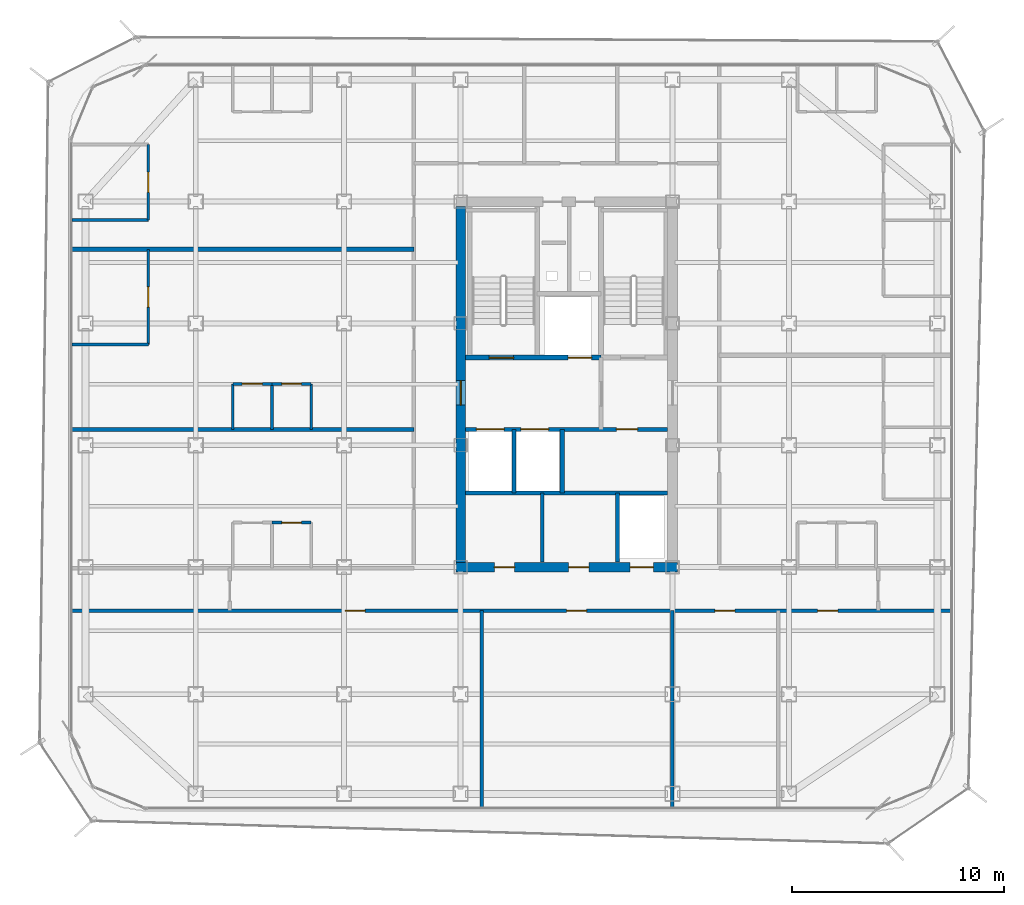
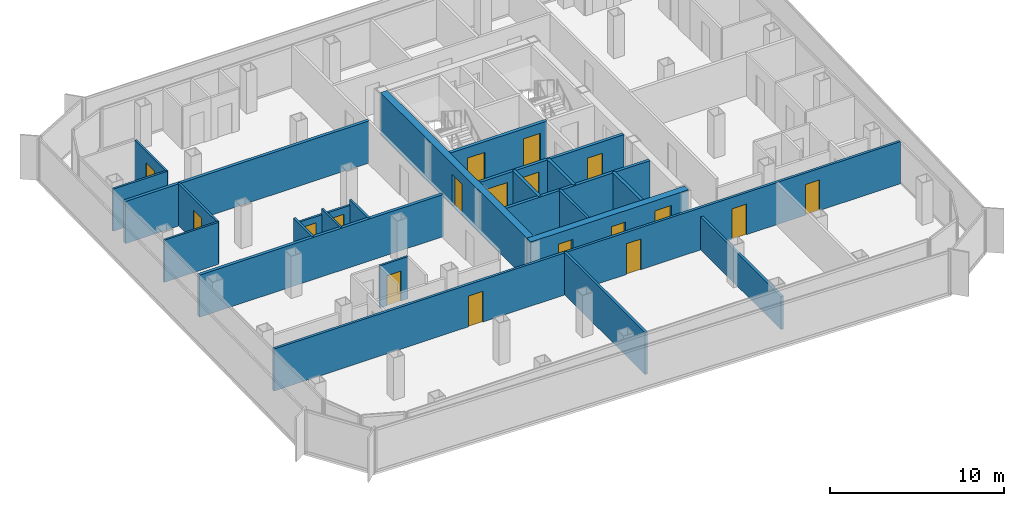
# One storey, part 10 of 15: 24 walls, 18 doors, 18 openings.
"""IFC4 building model written with IfcOpenShell, lengths in metres."""

from ifc_helpers import new_model, si_unit, direction, frame, frame_2d, origin, place, context, subcontext, project, spatial, rectangle, extrude, material, layer, layer_set, type_object, element, fill, save


model = new_model("IFC4")

# Units and contexts
model_context = context("Model", 3, precision=1e-05, world=origin(), true_north=direction((0.0, 1.0)))
body_context = subcontext(model_context, "Body", "Model", "MODEL_VIEW")
ifc_project = project(units=[si_unit("LENGTHUNIT", "METRE"), si_unit("AREAUNIT", "SQUARE_METRE"), si_unit("VOLUMEUNIT", "CUBIC_METRE"), si_unit("PLANEANGLEUNIT", "RADIAN"), si_unit("MASSUNIT", "GRAM", prefix="KILO")], contexts=[model_context])

# Site, building, storey
site_placement = place(None, origin())
site = spatial("IfcSite", under=ifc_project, at=site_placement, CompositionType="ELEMENT")
building_placement = place(site_placement, origin())
building = spatial("IfcBuilding", under=site, at=building_placement, Name="Kolveth Station Tower", CompositionType="ELEMENT")
storey_placement = place(building_placement, frame((0.0, 0.0, 168.89990234375)))
storey = spatial("IfcBuildingStorey", under=building, at=storey_placement, Name="L47", CompositionType="ELEMENT", Elevation=168.89990234375)

# Wall, openings, doors
ifc_material_1 = material(Name="Concrete C50/60", Category="concrete")
ifc_layer_1 = layer(ifc_material_1, 0.449951171875)
ifc_layer_set_1 = layer_set([ifc_layer_1], Name="Concrete C50/60")
wall_type_1 = type_object("IfcWallType", Name="Wall_CW-450", PredefinedType="SHEAR", material=ifc_layer_set_1)
wall_1_placement = place(storey_placement, frame((18.27490234375, 11.5, 0.0), z_axis=(0.0, 0.0, 1.0), x_axis=(1.0, 0.0, 0.0)))
wall_1 = element("IfcWall", 1, at=wall_1_placement, inside=storey, type_object=wall_type_1, Name="L47 Core RC Shear Wall S", PredefinedType="SHEAR", context=body_context, shape_type="SweptSolid", body=[
    extrude(rectangle(XDim=10.4501953125, YDim=0.449951171875, at=frame_2d((5.22509765625, 0.0))), origin(), (0.0, 0.0, 1.0), 2.9501953125),
])
opening_1_placement = place(wall_1_placement, frame((1.824951171875, 0.0, 0.0)))
opening_1 = element("IfcOpeningElement", 2, at=opening_1_placement, cuts=wall_1, Name="Opening ID1", PredefinedType="OPENING", context=body_context, shape_type="SweptSolid", body=[
    extrude(rectangle(XDim=0.949951171875, YDim=2.14990234375, at=frame_2d((0.47509765625, 1.074951171875))), frame((0.0, 0.23486328125, 0.0), z_axis=(0.0, -1.0, 0.0), x_axis=(1.0, 0.0, 0.0)), (0.0, 0.0, 1.0), 0.469970703125),
])
opening_2_placement = place(wall_1_placement, frame((5.324951171875, 0.0, 0.0)))
opening_2 = element("IfcOpeningElement", 3, at=opening_2_placement, cuts=wall_1, Name="Opening ID1", PredefinedType="OPENING", context=body_context, shape_type="SweptSolid", body=[
    extrude(rectangle(XDim=0.949951171875, YDim=2.14990234375, at=frame_2d((0.47509765625, 1.074951171875))), frame((0.0, 0.23486328125, 0.0), z_axis=(0.0, -1.0, 0.0), x_axis=(1.0, 0.0, 0.0)), (0.0, 0.0, 1.0), 0.469970703125),
])
opening_3_placement = place(wall_1_placement, frame((8.22509765625, 0.0, 0.0)))
opening_3 = element("IfcOpeningElement", 4, at=opening_3_placement, cuts=wall_1, Name="Opening LD1", PredefinedType="OPENING", context=body_context, shape_type="SweptSolid", body=[
    extrude(rectangle(XDim=1.10009765625, YDim=2.25, at=frame_2d((0.550048828125, 1.125))), frame((0.0, 0.23486328125, 0.0), z_axis=(0.0, -1.0, 0.0), x_axis=(1.0, 0.0, 0.0)), (0.0, 0.0, 1.0), 0.469970703125),
])
ifc_material_2 = material(Name="Acoustic hardwood leaf and aluminium frame", Category="wood")
door_type_1 = type_object("IfcDoorType", Name="Door_ID1", OperationType="NOTDEFINED", PredefinedType="DOOR", material=ifc_material_2)
door_1_placement = place(opening_1_placement, frame((0.949951171875, 0.0, 0.0), z_axis=(0.0, 0.0, 1.0), x_axis=(-1.0, 0.0, 0.0)))
door_1 = element("IfcDoor", 5, at=door_1_placement, inside=storey, type_object=door_type_1, Name="L47 Laundry Room Door", OperationType="SINGLE_SWING_LEFT", OverallHeight=2.14990234375, OverallWidth=0.949951171875, PredefinedType="DOOR", context=body_context, shape_type="SweptSolid", body=[
    extrude(rectangle(XDim=0.949951171875, YDim=2.14990234375, at=frame_2d((0.47509765625, 1.074951171875))), frame((0.0, 0.02490234375, 0.0), z_axis=(0.0, -1.0, 0.0), x_axis=(1.0, 0.0, 0.0)), (0.0, 0.0, 1.0), 0.050048828125),
])
fill(opening_1, door_1)
door_2_placement = place(opening_2_placement, frame((0.949951171875, 0.0, 0.0), z_axis=(0.0, 0.0, 1.0), x_axis=(-1.0, 0.0, 0.0)))
door_2 = element("IfcDoor", 6, at=door_2_placement, inside=storey, type_object=door_type_1, Name="L47 Parcel Room Door", OperationType="SINGLE_SWING_RIGHT", OverallHeight=2.14990234375, OverallWidth=0.949951171875, PredefinedType="DOOR", context=body_context, shape_type="SweptSolid", body=[
    extrude(rectangle(XDim=0.949951171875, YDim=2.14990234375, at=frame_2d((0.47509765625, 1.074951171875))), frame((0.0, 0.02490234375, 0.0), z_axis=(0.0, -1.0, 0.0), x_axis=(1.0, 0.0, 0.0)), (0.0, 0.0, 1.0), 0.050048828125),
])
fill(opening_2, door_2)
ifc_material_3 = material(Name="Brushed stainless steel sliding landing doors", Category="steel")
door_type_2 = type_object("IfcDoorType", Name="Door_LD1", OperationType="NOTDEFINED", PredefinedType="DOOR", material=ifc_material_3)
door_3_placement = place(opening_3_placement, frame((1.10009765625, 0.0, 0.0), z_axis=(0.0, 0.0, 1.0), x_axis=(-1.0, 0.0, 0.0)))
door_3 = element("IfcDoor", 7, at=door_3_placement, inside=storey, type_object=door_type_2, Name="L47 Lift PH1 Landing Door", OperationType="DOUBLE_DOOR_SLIDING", OverallHeight=2.25, OverallWidth=1.10009765625, PredefinedType="DOOR", context=body_context, shape_type="SweptSolid", body=[
    extrude(rectangle(XDim=1.10009765625, YDim=2.25, at=frame_2d((0.550048828125, 1.125))), frame((0.0, 0.02490234375, 0.0), z_axis=(0.0, -1.0, 0.0), x_axis=(1.0, 0.0, 0.0)), (0.0, 0.0, 1.0), 0.050048828125),
])
fill(opening_3, door_3)

# Wall, opening, door
wall_2_placement = place(storey_placement, frame((18.5, 11.72509765625, 0.0), z_axis=(0.0, 0.0, 1.0), x_axis=(0.0, 1.0, 0.0)))
wall_2 = element("IfcWall", 8, at=wall_2_placement, inside=storey, type_object=wall_type_1, Name="L47 Core RC Shear Wall W", PredefinedType="SHEAR", context=body_context, shape_type="SweptSolid", body=[
    extrude(rectangle(XDim=16.7998046875, YDim=0.449951171875, at=frame_2d((8.39990234375, 0.0))), origin(), (0.0, 0.0, 1.0), 2.9501953125),
])
opening_4_placement = place(wall_2_placement, frame((7.425048828125, 0.0, 0.0)))
opening_4 = element("IfcOpeningElement", 9, at=opening_4_placement, cuts=wall_2, Name="Opening FD1", PredefinedType="OPENING", context=body_context, shape_type="SweptSolid", body=[
    extrude(rectangle(XDim=1.14990234375, YDim=2.199951171875, at=frame_2d((0.574951171875, 1.10009765625))), frame((0.0, 0.23486328125, 0.0), z_axis=(0.0, -1.0, 0.0), x_axis=(1.0, 0.0, 0.0)), (0.0, 0.0, 1.0), 0.469970703125),
])
ifc_material_4 = material(Name="Fire-rated Steel S355 leaf and frame", Category="steel")
door_type_3 = type_object("IfcDoorType", Name="Door_FD1", OperationType="NOTDEFINED", PredefinedType="DOOR", material=ifc_material_4)
door_4_placement = place(opening_4_placement, frame((1.14990234375, 0.0, 0.0), z_axis=(0.0, 0.0, 1.0), x_axis=(-1.0, 0.0, 0.0)))
door_4 = element("IfcDoor", 10, at=door_4_placement, inside=storey, type_object=door_type_3, Name="L47 West Corridor to Firefighting Lobby Door", OperationType="SINGLE_SWING_LEFT", OverallHeight=2.199951171875, OverallWidth=1.14990234375, PredefinedType="DOOR", context=body_context, shape_type="SweptSolid", body=[
    extrude(rectangle(XDim=1.14990234375, YDim=2.199951171875, at=frame_2d((0.574951171875, 1.10009765625))), frame((0.0, 0.02490234375, 0.0), z_axis=(0.0, -1.0, 0.0), x_axis=(1.0, 0.0, 0.0)), (0.0, 0.0, 1.0), 0.050048828125),
])
fill(opening_4, door_4)

ifc_material_5 = material(Name="Moisture-resistant gypsum partition")
ifc_layer_2 = layer(ifc_material_5, 0.135009765625)
ifc_layer_set_2 = layer_set([ifc_layer_2], Name="Moisture-resistant gypsum partition")
wall_type_2 = type_object("IfcWallType", Name="Wall_IW-135", PredefinedType="PARTITIONING", material=ifc_layer_set_2)
wall_3_placement = place(storey_placement, frame((9.60009765625, 13.60009765625, 0.0), z_axis=(0.0, 0.0, 1.0), x_axis=(1.0, 0.0, 0.0)))
wall_3 = element("IfcWall", 11, at=wall_3_placement, inside=storey, type_object=wall_type_2, Name="L47 Partition Wall WL-L47-W1-IBHB", PredefinedType="PARTITIONING", context=body_context, shape_type="SweptSolid", body=[
    extrude(rectangle(XDim=1.849853515625, YDim=0.135009765625, at=frame_2d((0.9248046875, 0.0))), origin(), (0.0, 0.0, 1.0), 2.9501953125),
])
opening_5_placement = place(wall_3_placement, frame((0.465087890625, 0.0, 0.0)))
opening_5 = element("IfcOpeningElement", 12, at=opening_5_placement, cuts=wall_3, Name="Opening ID2", PredefinedType="OPENING", context=body_context, shape_type="SweptSolid", body=[
    extrude(rectangle(XDim=0.919921875, YDim=2.10009765625, at=frame_2d((0.4599609375, 1.050048828125))), frame((0.0, 0.077392578125, 0.0), z_axis=(0.0, -1.0, 0.0), x_axis=(1.0, 0.0, 0.0)), (0.0, 0.0, 1.0), 0.155029296875),
])
ifc_material_6 = material(Name="Moisture-resistant hardwood leaf", Category="wood")
door_type_4 = type_object("IfcDoorType", Name="Door_ID2", OperationType="NOTDEFINED", PredefinedType="DOOR", material=ifc_material_6)
door_5_placement = place(opening_5_placement, origin())
door_5 = element("IfcDoor", 13, at=door_5_placement, inside=storey, type_object=door_type_4, Name="Penthouse Flat L47-W1 Bathroom Door", OperationType="SINGLE_SWING_RIGHT", OverallHeight=2.10009765625, OverallWidth=0.919921875, PredefinedType="DOOR", context=body_context, shape_type="SweptSolid", body=[
    extrude(rectangle(XDim=0.919921875, YDim=2.10009765625, at=frame_2d((0.4599609375, 1.050048828125))), frame((0.0, 0.02490234375, 0.0), z_axis=(0.0, -1.0, 0.0), x_axis=(1.0, 0.0, 0.0)), (0.0, 0.0, 1.0), 0.050048828125),
])
fill(opening_5, door_5)

wall_4_placement = place(storey_placement, frame((7.75, 20.14990234375, 0.0), z_axis=(0.0, 0.0, 1.0), x_axis=(1.0, 0.0, 0.0)))
wall_4 = element("IfcWall", 14, at=wall_4_placement, inside=storey, type_object=wall_type_2, Name="L47 Partition Wall WL-L47-W2-IBHK", PredefinedType="PARTITIONING", context=body_context, shape_type="SweptSolid", body=[
    extrude(rectangle(XDim=1.85009765625, YDim=0.135009765625, at=frame_2d((0.925048828125, 0.0))), origin(), (0.0, 0.0, 1.0), 2.5830078125),
])
opening_6_placement = place(wall_4_placement, frame((0.445068359375, 0.0, 0.0)))
opening_6 = element("IfcOpeningElement", 15, at=opening_6_placement, cuts=wall_4, Name="Opening ID1", PredefinedType="OPENING", context=body_context, shape_type="SweptSolid", body=[
    extrude(rectangle(XDim=0.949951171875, YDim=2.14990234375, at=frame_2d((0.47509765625, 1.074951171875))), frame((0.0, 0.077392578125, 0.0), z_axis=(0.0, -1.0, 0.0), x_axis=(1.0, 0.0, 0.0)), (0.0, 0.0, 1.0), 0.155029296875),
])
door_6_placement = place(opening_6_placement, origin())
door_6 = element("IfcDoor", 16, at=door_6_placement, inside=storey, type_object=door_type_1, Name="Penthouse Flat L47-W2 Kitchen Door", OperationType="SINGLE_SWING_RIGHT", OverallHeight=2.14990234375, OverallWidth=0.949951171875, PredefinedType="DOOR", context=body_context, shape_type="SweptSolid", body=[
    extrude(rectangle(XDim=0.949951171875, YDim=2.14990234375, at=frame_2d((0.47509765625, 1.074951171875))), frame((0.0, 0.02490234375, 0.0), z_axis=(0.0, -1.0, 0.0), x_axis=(1.0, 0.0, 0.0)), (0.0, 0.0, 1.0), 0.050048828125),
])
fill(opening_6, door_6)

wall_5_placement = place(storey_placement, frame((9.60009765625, 20.14990234375, 0.0), z_axis=(0.0, 0.0, 1.0), x_axis=(1.0, 0.0, 0.0)))
wall_5 = element("IfcWall", 17, at=wall_5_placement, inside=storey, type_object=wall_type_2, Name="L47 Partition Wall WL-L47-W2-IBHB", PredefinedType="PARTITIONING", context=body_context, shape_type="SweptSolid", body=[
    extrude(rectangle(XDim=1.849853515625, YDim=0.135009765625, at=frame_2d((0.9248046875, 0.0))), origin(), (0.0, 0.0, 1.0), 2.5830078125),
])
opening_7_placement = place(wall_5_placement, frame((0.465087890625, 0.0, 0.0)))
opening_7 = element("IfcOpeningElement", 18, at=opening_7_placement, cuts=wall_5, Name="Opening ID2", PredefinedType="OPENING", context=body_context, shape_type="SweptSolid", body=[
    extrude(rectangle(XDim=0.919921875, YDim=2.10009765625, at=frame_2d((0.4599609375, 1.050048828125))), frame((0.0, 0.077392578125, 0.0), z_axis=(0.0, -1.0, 0.0), x_axis=(1.0, 0.0, 0.0)), (0.0, 0.0, 1.0), 0.155029296875),
])
door_7_placement = place(opening_7_placement, origin())
door_7 = element("IfcDoor", 19, at=door_7_placement, inside=storey, type_object=door_type_4, Name="Penthouse Flat L47-W2 Bathroom Door", OperationType="SINGLE_SWING_LEFT", OverallHeight=2.10009765625, OverallWidth=0.919921875, PredefinedType="DOOR", context=body_context, shape_type="SweptSolid", body=[
    extrude(rectangle(XDim=0.919921875, YDim=2.10009765625, at=frame_2d((0.4599609375, 1.050048828125))), frame((0.0, 0.02490234375, 0.0), z_axis=(0.0, -1.0, 0.0), x_axis=(1.0, 0.0, 0.0)), (0.0, 0.0, 1.0), 0.050048828125),
])
fill(opening_7, door_7)

# Walls
for number, where, z_axis, x_axis, name in (
    (20, (7.75, 18.0, 0.0), (0.0, 0.0, 1.0), (0.0, 1.0, 0.0), "L47 Partition Wall WL-L47-W2-IBV0"),
    (21, (9.60009765625, 18.0, 0.0), (0.0, 0.0, 1.0), (0.0, 1.0, 0.0), "L47 Partition Wall WL-L47-W2-IBV1"),
    (22, (11.449951171875, 18.0, 0.0), (0.0, 0.0, 1.0), (0.0, 1.0, 0.0), "L47 Partition Wall WL-L47-W2-IBV2"),
):
    element("IfcWall", number, at=place(storey_placement, frame(where, z_axis=z_axis, x_axis=x_axis)), inside=storey, type_object=wall_type_2, Name=name, PredefinedType="PARTITIONING", context=body_context, shape_type="SweptSolid", body=[
        extrude(rectangle(XDim=2.14990234375, YDim=0.135009765625, at=frame_2d((1.074951171875, 0.0))), origin(), (0.0, 0.0, 1.0), 2.9501953125),
    ])
wall_6_placement = place(storey_placement, frame((0.159912109375, 22.0, 0.0), z_axis=(0.0, 0.0, 1.0), x_axis=(1.0, 0.0, 0.0)))
element("IfcWall", 23, at=wall_6_placement, inside=storey, type_object=wall_type_2, Name="L47 Partition Wall WL-L47-W2-BDH0", PredefinedType="PARTITIONING", context=body_context, shape_type="SweptSolid", body=[
    extrude(rectangle(XDim=3.60009765625, YDim=0.135009765625, at=frame_2d((1.800048828125, 0.0))), origin(), (0.0, 0.0, 1.0), 2.9501953125),
])

# Wall, opening, door
wall_7_placement = place(storey_placement, frame((3.760009765625, 22.0, 0.0), z_axis=(0.0, 0.0, 1.0), x_axis=(0.0, 1.0, 0.0)))
wall_7 = element("IfcWall", 24, at=wall_7_placement, inside=storey, type_object=wall_type_2, Name="L47 Partition Wall WL-L47-W2-BDV1", PredefinedType="PARTITIONING", context=body_context, shape_type="SweptSolid", body=[
    extrude(rectangle(XDim=4.5, YDim=0.135009765625, at=frame_2d((2.25, 0.0))), origin(), (0.0, 0.0, 1.0), 2.9501953125),
])
opening_8_placement = place(wall_7_placement, frame((1.77001953125, 0.0, 0.0)))
opening_8 = element("IfcOpeningElement", 25, at=opening_8_placement, cuts=wall_7, Name="Opening ID1", PredefinedType="OPENING", context=body_context, shape_type="SweptSolid", body=[
    extrude(rectangle(XDim=0.949951171875, YDim=2.14990234375, at=frame_2d((0.47509765625, 1.074951171875))), frame((0.0, 0.077392578125, 0.0), z_axis=(0.0, -1.0, 0.0), x_axis=(1.0, 0.0, 0.0)), (0.0, 0.0, 1.0), 0.155029296875),
])
door_8_placement = place(opening_8_placement, origin())
door_8 = element("IfcDoor", 26, at=door_8_placement, inside=storey, type_object=door_type_1, Name="Penthouse Flat L47-W2 Bedroom 1 Door", OperationType="SINGLE_SWING_RIGHT", OverallHeight=2.14990234375, OverallWidth=0.949951171875, PredefinedType="DOOR", context=body_context, shape_type="SweptSolid", body=[
    extrude(rectangle(XDim=0.949951171875, YDim=2.14990234375, at=frame_2d((0.47509765625, 1.074951171875))), frame((0.0, 0.02490234375, 0.0), z_axis=(0.0, -1.0, 0.0), x_axis=(1.0, 0.0, 0.0)), (0.0, 0.0, 1.0), 0.050048828125),
])
fill(opening_8, door_8)

# Wall
wall_8_placement = place(storey_placement, frame((0.159912109375, 27.885986328125, 0.0), z_axis=(0.0, 0.0, 1.0), x_axis=(1.0, 0.0, 0.0)))
element("IfcWall", 27, at=wall_8_placement, inside=storey, type_object=wall_type_2, Name="L47 Partition Wall WL-L47-W3-BDH0", PredefinedType="PARTITIONING", context=body_context, shape_type="SweptSolid", body=[
    extrude(rectangle(XDim=3.60009765625, YDim=0.135009765625, at=frame_2d((1.800048828125, 0.0))), origin(), (0.0, 0.0, 1.0), 2.9501953125),
])

# Wall, opening, door
wall_9_placement = place(storey_placement, frame((3.760009765625, 27.885986328125, 0.0), z_axis=(0.0, 0.0, 1.0), x_axis=(0.0, 1.0, 0.0)))
wall_9 = element("IfcWall", 28, at=wall_9_placement, inside=storey, type_object=wall_type_2, Name="L47 Partition Wall WL-L47-W3-BDV1", PredefinedType="PARTITIONING", context=body_context, shape_type="SweptSolid", body=[
    extrude(rectangle(XDim=3.56396484375, YDim=0.135009765625, at=frame_2d((1.781982421875, 0.0))), origin(), (0.0, 0.0, 1.0), 2.9501953125),
])
opening_9_placement = place(wall_9_placement, frame((1.302001953125, 0.0, 0.0)))
opening_9 = element("IfcOpeningElement", 29, at=opening_9_placement, cuts=wall_9, Name="Opening ID1", PredefinedType="OPENING", context=body_context, shape_type="SweptSolid", body=[
    extrude(rectangle(XDim=0.949951171875, YDim=2.14990234375, at=frame_2d((0.47509765625, 1.074951171875))), frame((0.0, 0.077392578125, 0.0), z_axis=(0.0, -1.0, 0.0), x_axis=(1.0, 0.0, 0.0)), (0.0, 0.0, 1.0), 0.155029296875),
])
door_9_placement = place(opening_9_placement, origin())
door_9 = element("IfcDoor", 30, at=door_9_placement, inside=storey, type_object=door_type_1, Name="Penthouse Flat L47-W3 Bedroom 1 Door", OperationType="SINGLE_SWING_RIGHT", OverallHeight=2.14990234375, OverallWidth=0.949951171875, PredefinedType="DOOR", context=body_context, shape_type="SweptSolid", body=[
    extrude(rectangle(XDim=0.949951171875, YDim=2.14990234375, at=frame_2d((0.47509765625, 1.074951171875))), frame((0.0, 0.02490234375, 0.0), z_axis=(0.0, -1.0, 0.0), x_axis=(1.0, 0.0, 0.0)), (0.0, 0.0, 1.0), 0.050048828125),
])
fill(opening_9, door_9)

# Wall
ifc_material_7 = material(Name="Acoustic double-stud gypsum partition")
ifc_layer_3 = layer(ifc_material_7, 0.1650390625)
ifc_layer_set_3 = layer_set([ifc_layer_3], Name="Acoustic double-stud gypsum partition")
wall_type_3 = type_object("IfcWallType", Name="Wall_IW-165", PredefinedType="PARTITIONING", material=ifc_layer_set_3)
wall_10_placement = place(storey_placement, frame((22.35009765625, 11.735107421875, 0.0), z_axis=(0.0, 0.0, 1.0), x_axis=(0.0, 1.0, 0.0)))
element("IfcWall", 31, at=wall_10_placement, inside=storey, type_object=wall_type_3, Name="L47 Partition Wall WL-L47-FR-M", PredefinedType="PARTITIONING", context=body_context, shape_type="SweptSolid", body=[
    extrude(rectangle(XDim=3.264892578125, YDim=0.1650390625, at=frame_2d((1.63232421875, 0.0))), origin(), (0.0, 0.0, 1.0), 2.9501953125),
])

# Wall, openings, doors
wall_11_placement = place(storey_placement, frame((0.159912109375, 9.449951171875, 0.0), z_axis=(0.0, 0.0, 1.0), x_axis=(1.0, 0.0, 0.0)))
wall_11 = element("IfcWall", 32, at=wall_11_placement, inside=storey, type_object=wall_type_3, Name="L47 Partition Wall WL-L47-RS", PredefinedType="PARTITIONING", context=body_context, shape_type="SweptSolid", body=[
    extrude(rectangle(XDim=41.47998046875, YDim=0.1650390625, at=frame_2d((20.739990234375, 0.0))), origin(), (0.0, 0.0, 1.0), 2.9501953125),
])
opening_10_placement = place(wall_11_placement, frame((12.889892578125, 0.0, 0.0)))
opening_10 = element("IfcOpeningElement", 33, at=opening_10_placement, cuts=wall_11, Name="Opening ID1", PredefinedType="OPENING", context=body_context, shape_type="SweptSolid", body=[
    extrude(rectangle(XDim=0.949951171875, YDim=2.14990234375, at=frame_2d((0.47509765625, 1.074951171875))), frame((0.0, 0.092529296875, 0.0), z_axis=(0.0, -1.0, 0.0), x_axis=(1.0, 0.0, 0.0)), (0.0, 0.0, 1.0), 0.18505859375),
])
opening_11_placement = place(wall_11_placement, frame((23.340087890625, 0.0, 0.0)))
opening_11 = element("IfcOpeningElement", 34, at=opening_11_placement, cuts=wall_11, Name="Opening ID1", PredefinedType="OPENING", context=body_context, shape_type="SweptSolid", body=[
    extrude(rectangle(XDim=0.949951171875, YDim=2.14990234375, at=frame_2d((0.47509765625, 1.074951171875))), frame((0.0, 0.092529296875, 0.0), z_axis=(0.0, -1.0, 0.0), x_axis=(1.0, 0.0, 0.0)), (0.0, 0.0, 1.0), 0.18505859375),
])
opening_12_placement = place(wall_11_placement, frame((30.340087890625, 0.0, 0.0)))
opening_12 = element("IfcOpeningElement", 35, at=opening_12_placement, cuts=wall_11, Name="Opening ID1", PredefinedType="OPENING", context=body_context, shape_type="SweptSolid", body=[
    extrude(rectangle(XDim=0.949951171875, YDim=2.14990234375, at=frame_2d((0.47509765625, 1.074951171875))), frame((0.0, 0.092529296875, 0.0), z_axis=(0.0, -1.0, 0.0), x_axis=(1.0, 0.0, 0.0)), (0.0, 0.0, 1.0), 0.18505859375),
])
opening_13_placement = place(wall_11_placement, frame((35.18994140625, 0.0, 0.0)))
opening_13 = element("IfcOpeningElement", 36, at=opening_13_placement, cuts=wall_11, Name="Opening ID1", PredefinedType="OPENING", context=body_context, shape_type="SweptSolid", body=[
    extrude(rectangle(XDim=0.949951171875, YDim=2.14990234375, at=frame_2d((0.47509765625, 1.074951171875))), frame((0.0, 0.092529296875, 0.0), z_axis=(0.0, -1.0, 0.0), x_axis=(1.0, 0.0, 0.0)), (0.0, 0.0, 1.0), 0.18505859375),
])
door_10_placement = place(opening_10_placement, frame((0.949951171875, 0.0, 0.0), z_axis=(0.0, 0.0, 1.0), x_axis=(-1.0, 0.0, 0.0)))
door_10 = element("IfcDoor", 37, at=door_10_placement, inside=storey, type_object=door_type_1, Name="L47 Residents' Fitness Gymnasium Door", OperationType="SINGLE_SWING_LEFT", OverallHeight=2.14990234375, OverallWidth=0.949951171875, PredefinedType="DOOR", context=body_context, shape_type="SweptSolid", body=[
    extrude(rectangle(XDim=0.949951171875, YDim=2.14990234375, at=frame_2d((0.47509765625, 1.074951171875))), frame((0.0, 0.02490234375, 0.0), z_axis=(0.0, -1.0, 0.0), x_axis=(1.0, 0.0, 0.0)), (0.0, 0.0, 1.0), 0.050048828125),
])
fill(opening_10, door_10)
door_11_placement = place(opening_11_placement, frame((0.949951171875, 0.0, 0.0), z_axis=(0.0, 0.0, 1.0), x_axis=(-1.0, 0.0, 0.0)))
door_11 = element("IfcDoor", 38, at=door_11_placement, inside=storey, type_object=door_type_1, Name="L47 Residents' Reading Library Door", OperationType="SINGLE_SWING_RIGHT", OverallHeight=2.14990234375, OverallWidth=0.949951171875, PredefinedType="DOOR", context=body_context, shape_type="SweptSolid", body=[
    extrude(rectangle(XDim=0.949951171875, YDim=2.14990234375, at=frame_2d((0.47509765625, 1.074951171875))), frame((0.0, 0.02490234375, 0.0), z_axis=(0.0, -1.0, 0.0), x_axis=(1.0, 0.0, 0.0)), (0.0, 0.0, 1.0), 0.050048828125),
])
fill(opening_11, door_11)
door_12_placement = place(opening_12_placement, frame((0.949951171875, 0.0, 0.0), z_axis=(0.0, 0.0, 1.0), x_axis=(-1.0, 0.0, 0.0)))
door_12 = element("IfcDoor", 39, at=door_12_placement, inside=storey, type_object=door_type_1, Name="L47 Residents' Pantry Door", OperationType="SINGLE_SWING_LEFT", OverallHeight=2.14990234375, OverallWidth=0.949951171875, PredefinedType="DOOR", context=body_context, shape_type="SweptSolid", body=[
    extrude(rectangle(XDim=0.949951171875, YDim=2.14990234375, at=frame_2d((0.47509765625, 1.074951171875))), frame((0.0, 0.02490234375, 0.0), z_axis=(0.0, -1.0, 0.0), x_axis=(1.0, 0.0, 0.0)), (0.0, 0.0, 1.0), 0.050048828125),
])
fill(opening_12, door_12)
door_13_placement = place(opening_13_placement, frame((0.949951171875, 0.0, 0.0), z_axis=(0.0, 0.0, 1.0), x_axis=(-1.0, 0.0, 0.0)))
door_13 = element("IfcDoor", 40, at=door_13_placement, inside=storey, type_object=door_type_1, Name="L47 Residents' Lounge Door", OperationType="SINGLE_SWING_LEFT", OverallHeight=2.14990234375, OverallWidth=0.949951171875, PredefinedType="DOOR", context=body_context, shape_type="SweptSolid", body=[
    extrude(rectangle(XDim=0.949951171875, YDim=2.14990234375, at=frame_2d((0.47509765625, 1.074951171875))), frame((0.0, 0.02490234375, 0.0), z_axis=(0.0, -1.0, 0.0), x_axis=(1.0, 0.0, 0.0)), (0.0, 0.0, 1.0), 0.050048828125),
])
fill(opening_13, door_13)

# Walls
wall_12_placement = place(storey_placement, frame((19.5, 0.159912109375, 0.0), z_axis=(0.0, 0.0, 1.0), x_axis=(0.0, 1.0, 0.0)))
element("IfcWall", 41, at=wall_12_placement, inside=storey, type_object=wall_type_3, Name="L47 Partition Wall WL-L47-RSA-P1", PredefinedType="PARTITIONING", context=body_context, shape_type="SweptSolid", body=[
    extrude(rectangle(XDim=9.2900390625, YDim=0.1650390625, at=frame_2d((4.64501953125, 0.0))), origin(), (0.0, 0.0, 1.0), 2.9501953125),
])
wall_13_placement = place(storey_placement, frame((28.5, 0.159912109375, 0.0), z_axis=(0.0, 0.0, 1.0), x_axis=(0.0, 1.0, 0.0)))
element("IfcWall", 42, at=wall_13_placement, inside=storey, type_object=wall_type_3, Name="L47 Partition Wall WL-L47-RSA-P2", PredefinedType="PARTITIONING", context=body_context, shape_type="SweptSolid", body=[
    extrude(rectangle(XDim=9.2900390625, YDim=0.1650390625, at=frame_2d((4.64501953125, 0.0))), origin(), (0.0, 0.0, 1.0), 2.322998046875),
])

# Wall, openings, doors
ifc_material_8 = material(Name="Acoustic fire-rated gypsum blockwork", Category="masonry")
ifc_layer_4 = layer(ifc_material_8, 0.199951171875)
ifc_layer_set_4 = layer_set([ifc_layer_4], Name="Acoustic fire-rated gypsum blockwork")
wall_type_4 = type_object("IfcWallType", Name="Wall_IW-200", PredefinedType="PARTITIONING", material=ifc_layer_set_4)
wall_14_placement = place(storey_placement, frame((18.735107421875, 18.0, 0.0), z_axis=(0.0, 0.0, 1.0), x_axis=(1.0, 0.0, 0.0)))
wall_14 = element("IfcWall", 43, at=wall_14_placement, inside=storey, type_object=wall_type_4, Name="L47 Partition Wall WL-L47-FFL-S", PredefinedType="PARTITIONING", context=body_context, shape_type="SweptSolid", body=[
    extrude(rectangle(XDim=9.52978515625, YDim=0.199951171875, at=frame_2d((4.764892578125, 0.0))), origin(), (0.0, 0.0, 1.0), 2.9501953125),
])
opening_14_placement = place(wall_14_placement, frame((0.514892578125, 0.0, 0.0)))
opening_14 = element("IfcOpeningElement", 44, at=opening_14_placement, cuts=wall_14, Name="Opening LD2", PredefinedType="OPENING", context=body_context, shape_type="SweptSolid", body=[
    extrude(rectangle(XDim=1.300048828125, YDim=2.300048828125, at=frame_2d((0.64990234375, 1.14990234375))), frame((0.0, 0.10986328125, 0.0), z_axis=(0.0, -1.0, 0.0), x_axis=(1.0, 0.0, 0.0)), (0.0, 0.0, 1.0), 0.219970703125),
])
opening_15_placement = place(wall_14_placement, frame((2.614990234375, 0.0, 0.0)))
opening_15 = element("IfcOpeningElement", 45, at=opening_15_placement, cuts=wall_14, Name="Opening LD2", PredefinedType="OPENING", context=body_context, shape_type="SweptSolid", body=[
    extrude(rectangle(XDim=1.300048828125, YDim=2.300048828125, at=frame_2d((0.64990234375, 1.14990234375))), frame((0.0, 0.10986328125, 0.0), z_axis=(0.0, -1.0, 0.0), x_axis=(1.0, 0.0, 0.0)), (0.0, 0.0, 1.0), 0.219970703125),
])
opening_16_placement = place(wall_14_placement, frame((7.114990234375, 0.0, 0.0)))
opening_16 = element("IfcOpeningElement", 46, at=opening_16_placement, cuts=wall_14, Name="Opening FD3", PredefinedType="OPENING", context=body_context, shape_type="SweptSolid", body=[
    extrude(rectangle(XDim=1.0, YDim=2.14990234375, at=frame_2d((0.5, 1.074951171875))), frame((0.0, 0.10986328125, 0.0), z_axis=(0.0, -1.0, 0.0), x_axis=(1.0, 0.0, 0.0)), (0.0, 0.0, 1.0), 0.219970703125),
])
ifc_material_9 = material(Name="Fire-rated hardwood leaf and aluminium frame", Category="wood")
door_type_5 = type_object("IfcDoorType", Name="Door_FD3", OperationType="NOTDEFINED", PredefinedType="DOOR", material=ifc_material_9)
door_14_placement = place(opening_16_placement, frame((1.0, 0.0, 0.0), z_axis=(0.0, 0.0, 1.0), x_axis=(-1.0, 0.0, 0.0)))
door_14 = element("IfcDoor", 47, at=door_14_placement, inside=storey, type_object=door_type_5, Name="L47 Core Staff Pantry Door", OperationType="SINGLE_SWING_LEFT", OverallHeight=2.14990234375, OverallWidth=1.0, PredefinedType="DOOR", context=body_context, shape_type="SweptSolid", body=[
    extrude(rectangle(XDim=1.0, YDim=2.14990234375, at=frame_2d((0.5, 1.074951171875))), frame((0.0, 0.02490234375, 0.0), z_axis=(0.0, -1.0, 0.0), x_axis=(1.0, 0.0, 0.0)), (0.0, 0.0, 1.0), 0.050048828125),
])
fill(opening_16, door_14)
ifc_material_10 = material(Name="Firefighting stainless steel sliding landing doors", Category="steel")
door_type_6 = type_object("IfcDoorType", Name="Door_LD2", OperationType="NOTDEFINED", PredefinedType="DOOR", material=ifc_material_10)
door_15_placement = place(opening_14_placement, origin())
door_15 = element("IfcDoor", 48, at=door_15_placement, inside=storey, type_object=door_type_6, Name="L47 Firefighting Lift FF1 Landing Door", OperationType="DOUBLE_DOOR_SLIDING", OverallHeight=2.300048828125, OverallWidth=1.300048828125, PredefinedType="DOOR", context=body_context, shape_type="SweptSolid", body=[
    extrude(rectangle(XDim=1.300048828125, YDim=2.300048828125, at=frame_2d((0.64990234375, 1.14990234375))), frame((0.0, 0.02490234375, 0.0), z_axis=(0.0, -1.0, 0.0), x_axis=(1.0, 0.0, 0.0)), (0.0, 0.0, 1.0), 0.050048828125),
])
fill(opening_14, door_15)
door_16_placement = place(opening_15_placement, origin())
door_16 = element("IfcDoor", 49, at=door_16_placement, inside=storey, type_object=door_type_6, Name="L47 Firefighting Lift FF2 Landing Door", OperationType="DOUBLE_DOOR_SLIDING", OverallHeight=2.300048828125, OverallWidth=1.300048828125, PredefinedType="DOOR", context=body_context, shape_type="SweptSolid", body=[
    extrude(rectangle(XDim=1.300048828125, YDim=2.300048828125, at=frame_2d((0.64990234375, 1.14990234375))), frame((0.0, 0.02490234375, 0.0), z_axis=(0.0, -1.0, 0.0), x_axis=(1.0, 0.0, 0.0)), (0.0, 0.0, 1.0), 0.050048828125),
])
fill(opening_15, door_16)

# Walls
for number, where, z_axis, x_axis, name in (
    (50, (21.02001953125, 15.0, 0.0), (0.0, 0.0, 1.0), (0.0, 1.0, 0.0), "L47 Partition Wall WL-L47-FF12"),
    (51, (23.300048828125, 15.0, 0.0), (0.0, 0.0, 1.0), (0.0, 1.0, 0.0), "L47 Partition Wall WL-L47-FF2E"),
):
    element("IfcWall", number, at=place(storey_placement, frame(where, z_axis=z_axis, x_axis=x_axis)), inside=storey, type_object=wall_type_4, Name=name, PredefinedType="PARTITIONING", context=body_context, shape_type="SweptSolid", body=[
        extrude(rectangle(XDim=3.0, YDim=0.199951171875, at=frame_2d((1.5, 0.0))), origin(), (0.0, 0.0, 1.0), 2.9501953125),
    ])
wall_15_placement = place(storey_placement, frame((18.735107421875, 15.0, 0.0), z_axis=(0.0, 0.0, 1.0), x_axis=(1.0, 0.0, 0.0)))
element("IfcWall", 52, at=wall_15_placement, inside=storey, type_object=wall_type_4, Name="L47 Partition Wall WL-L47-BOH-S", PredefinedType="PARTITIONING", context=body_context, shape_type="SweptSolid", body=[
    extrude(rectangle(XDim=9.52978515625, YDim=0.199951171875, at=frame_2d((4.764892578125, 0.0))), origin(), (0.0, 0.0, 1.0), 2.9501953125),
])
wall_16_placement = place(storey_placement, frame((25.89990234375, 11.735107421875, 0.0), z_axis=(0.0, 0.0, 1.0), x_axis=(0.0, 1.0, 0.0)))
element("IfcWall", 53, at=wall_16_placement, inside=storey, type_object=wall_type_4, Name="L47 Partition Wall WL-L47-PMPH", PredefinedType="PARTITIONING", context=body_context, shape_type="SweptSolid", body=[
    extrude(rectangle(XDim=3.264892578125, YDim=0.199951171875, at=frame_2d((1.63232421875, 0.0))), origin(), (0.0, 0.0, 1.0), 2.9501953125),
])
for number, where, z_axis, x_axis, name in (
    (54, (0.159912109375, 18.0, 0.0), (0.0, 0.0, 1.0), (1.0, 0.0, 0.0), "L47 Partition Wall WL-L47-RWU-1"),
    (55, (0.159912109375, 26.5, 0.0), (0.0, 0.0, 1.0), (1.0, 0.0, 0.0), "L47 Partition Wall WL-L47-RWU-2"),
):
    element("IfcWall", number, at=place(storey_placement, frame(where, z_axis=z_axis, x_axis=x_axis)), inside=storey, type_object=wall_type_4, Name=name, PredefinedType="PARTITIONING", context=body_context, shape_type="SweptSolid", body=[
        extrude(rectangle(XDim=16.14013671875, YDim=0.199951171875, at=frame_2d((8.070068359375, 0.0))), origin(), (0.0, 0.0, 1.0), 2.9501953125),
    ])

# Wall, openings, doors
ifc_material_11 = material(Name="Concrete C40/50", Category="concrete")
ifc_layer_5 = layer(ifc_material_11, 0.219970703125)
ifc_layer_set_5 = layer_set([ifc_layer_5], Name="Concrete C40/50")
wall_type_5 = type_object("IfcWallType", Name="Wall_IW-220", PredefinedType="SOLIDWALL", material=ifc_layer_set_5)
wall_17_placement = place(storey_placement, frame((18.735107421875, 21.389892578125, 0.0), z_axis=(0.0, 0.0, 1.0), x_axis=(1.0, 0.0, 0.0)))
wall_17 = element("IfcWall", 56, at=wall_17_placement, inside=storey, type_object=wall_type_5, Name="L47 Stair Shaft Wall WL-L47-ST1-S", PredefinedType="SOLIDWALL", context=body_context, shape_type="SweptSolid", body=[
    extrude(rectangle(XDim=6.394775390625, YDim=0.219970703125, at=frame_2d((3.197265625, 0.0))), origin(), (0.0, 0.0, 1.0), 2.9501953125),
])
opening_17_placement = place(wall_17_placement, frame((1.114990234375, 0.0, 0.0)))
opening_17 = element("IfcOpeningElement", 57, at=opening_17_placement, cuts=wall_17, Name="Opening FD1", PredefinedType="OPENING", context=body_context, shape_type="SweptSolid", body=[
    extrude(rectangle(XDim=1.14990234375, YDim=2.199951171875, at=frame_2d((0.574951171875, 1.10009765625))), frame((0.0, 0.119873046875, 0.0), z_axis=(0.0, -1.0, 0.0), x_axis=(1.0, 0.0, 0.0)), (0.0, 0.0, 1.0), 0.239990234375),
])
opening_18_placement = place(wall_17_placement, frame((4.844970703125, 0.0, 0.0)))
opening_18 = element("IfcOpeningElement", 58, at=opening_18_placement, cuts=wall_17, Name="Opening LD1", PredefinedType="OPENING", context=body_context, shape_type="SweptSolid", body=[
    extrude(rectangle(XDim=1.10009765625, YDim=2.25, at=frame_2d((0.550048828125, 1.125))), frame((0.0, 0.119873046875, 0.0), z_axis=(0.0, -1.0, 0.0), x_axis=(1.0, 0.0, 0.0)), (0.0, 0.0, 1.0), 0.239990234375),
])
door_17_placement = place(opening_17_placement, frame((1.14990234375, 0.0, 0.0), z_axis=(0.0, 0.0, 1.0), x_axis=(-1.0, 0.0, 0.0)))
door_17 = element("IfcDoor", 59, at=door_17_placement, inside=storey, type_object=door_type_3, Name="L47 Stair ST1 Fire Door", OperationType="SINGLE_SWING_LEFT", OverallHeight=2.199951171875, OverallWidth=1.14990234375, PredefinedType="DOOR", context=body_context, shape_type="SweptSolid", body=[
    extrude(rectangle(XDim=1.14990234375, YDim=2.199951171875, at=frame_2d((0.574951171875, 1.10009765625))), frame((0.0, 0.02490234375, 0.0), z_axis=(0.0, -1.0, 0.0), x_axis=(1.0, 0.0, 0.0)), (0.0, 0.0, 1.0), 0.050048828125),
])
fill(opening_17, door_17)
door_18_placement = place(opening_18_placement, frame((1.10009765625, 0.0, 0.0), z_axis=(0.0, 0.0, 1.0), x_axis=(-1.0, 0.0, 0.0)))
door_18 = element("IfcDoor", 60, at=door_18_placement, inside=storey, type_object=door_type_2, Name="L47 Service Lift SV1 Landing Door", OperationType="DOUBLE_DOOR_SLIDING", OverallHeight=2.25, OverallWidth=1.10009765625, PredefinedType="DOOR", context=body_context, shape_type="SweptSolid", body=[
    extrude(rectangle(XDim=1.10009765625, YDim=2.25, at=frame_2d((0.550048828125, 1.125))), frame((0.0, 0.02490234375, 0.0), z_axis=(0.0, -1.0, 0.0), x_axis=(1.0, 0.0, 0.0)), (0.0, 0.0, 1.0), 0.050048828125),
])
fill(opening_18, door_18)

save(model, "model.ifc")
